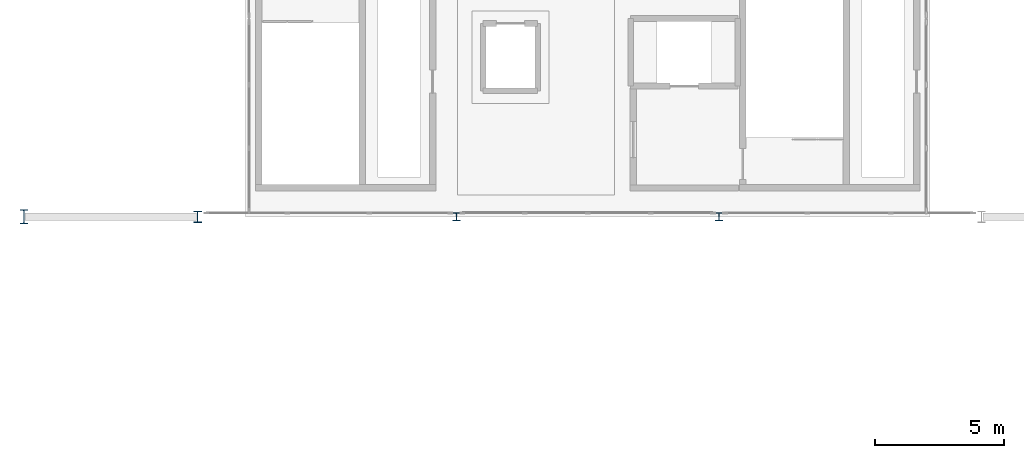
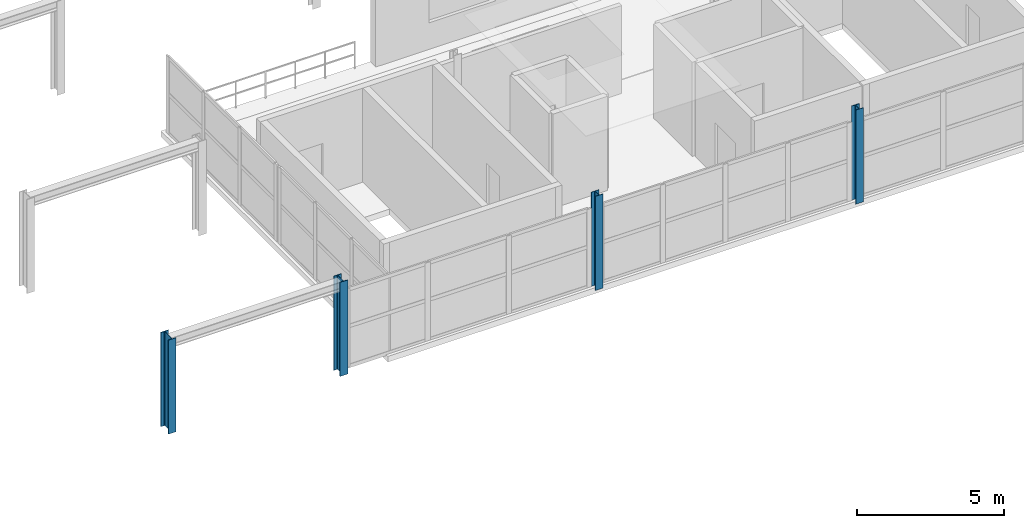
# One storey, part 1 of 52: 4 columns.
"""IFC4 building model written with IfcOpenShell, lengths in metres."""

from ifc_helpers import new_model, si_unit, direction, frame, origin, origin_2d, place, context, subcontext, project, spatial, i_section, extrude, material, material_profile, profile_set, type_object, element, save


model = new_model("IFC4")

# Units and contexts
model_context = context("Model", 3, precision=1e-05, world=origin(), true_north=direction((0.0, 1.0)))
body_context = subcontext(model_context, "Body", "Model", "MODEL_VIEW")
ifc_project = project(units=[si_unit("LENGTHUNIT", "METRE"), si_unit("AREAUNIT", "SQUARE_METRE"), si_unit("VOLUMEUNIT", "CUBIC_METRE"), si_unit("PLANEANGLEUNIT", "RADIAN"), si_unit("MASSUNIT", "GRAM", prefix="KILO")], contexts=[model_context])

# Site, building, storey
site_placement = place(None, origin())
site = spatial("IfcSite", under=ifc_project, at=site_placement, CompositionType="ELEMENT")
building_placement = place(site_placement, origin())
building = spatial("IfcBuilding", under=site, at=building_placement, Name="Myrtia Square Station", CompositionType="ELEMENT")
storey_placement = place(building_placement, frame((0.0, 0.0, 15.0)))
storey = spatial("IfcBuildingStorey", under=building, at=storey_placement, Name="L03", CompositionType="ELEMENT", Elevation=15.0)

# Columns
ifc_material = material(Name="Steel S355", Category="steel")
ifc_material_profile_1 = material_profile(ifc_material, i_section(OverallWidth=0.300048828125, OverallDepth=0.5400390625, WebThickness=0.012451171875, FlangeThickness=0.02392578125, FilletRadius=0.027099609375, at=origin_2d()), Name="HEA 550")
ifc_profile_set_1 = profile_set([ifc_material_profile_1], Name="Steel S355")
column_type_1 = type_object("IfcColumnType", Name="COL-HEA550", PredefinedType="COLUMN", material=ifc_profile_set_1)
column_1_placement = place(storey_placement, frame((72.60009765625, 28.800048828125, 0.0), z_axis=(0.0, 0.0, 1.0), x_axis=(1.0, 0.0, 0.0)))
element("IfcColumn", 1, at=column_1_placement, inside=storey, type_object=column_type_1, Name="Column L03-0245", PredefinedType="COLUMN", context=body_context, shape_type="SweptSolid", body=[
    extrude(i_section(OverallWidth=0.300048828125, OverallDepth=0.5400390625, WebThickness=0.012451171875, FlangeThickness=0.02392578125, FilletRadius=0.027099609375, at=origin_2d()), origin(), (0.0, 0.0, 1.0), 3.89990234375),
])
ifc_material_profile_2 = material_profile(ifc_material, i_section(OverallWidth=0.300048828125, OverallDepth=0.300048828125, WebThickness=0.010986328125, FlangeThickness=0.01904296875, FilletRadius=0.027099609375, at=origin_2d()), Name="HEB 300")
ifc_profile_set_2 = profile_set([ifc_material_profile_2], Name="Steel S355")
column_type_2 = type_object("IfcColumnType", Name="COL-HEB300", PredefinedType="COLUMN", material=ifc_profile_set_2)
for number, where, z_axis, x_axis, name in (
    (2, (89.39990234375, 28.800048828125, 0.0), (0.0, 0.0, 1.0), (1.0, 0.0, 0.0), "Column L03-0421"),
    (3, (99.60009765625, 28.800048828125, 0.0), (0.0, 0.0, 1.0), (1.0, 0.0, 0.0), "Column L03-0453"),
):
    element("IfcColumn", number, at=place(storey_placement, frame(where, z_axis=z_axis, x_axis=x_axis)), inside=storey, type_object=column_type_2, Name=name, PredefinedType="COLUMN", context=body_context, shape_type="SweptSolid", body=[
        extrude(i_section(OverallWidth=0.300048828125, OverallDepth=0.300048828125, WebThickness=0.010986328125, FlangeThickness=0.01904296875, FilletRadius=0.027099609375, at=origin_2d()), origin(), (0.0, 0.0, 1.0), 3.89990234375),
    ])
ifc_material_profile_3 = material_profile(ifc_material, i_section(OverallWidth=0.300048828125, OverallDepth=0.449951171875, WebThickness=0.013916015625, FlangeThickness=0.02587890625, FilletRadius=0.027099609375, at=origin_2d()), Name="HEB 450")
ifc_profile_set_3 = profile_set([ifc_material_profile_3], Name="Steel S355")
column_type_3 = type_object("IfcColumnType", Name="COL-HEB450", PredefinedType="COLUMN", material=ifc_profile_set_3)
column_2_placement = place(storey_placement, frame((79.35009765625, 28.800048828125, 0.0), z_axis=(0.0, 0.0, 1.0), x_axis=(1.0, 0.0, 0.0)))
element("IfcColumn", 4, at=column_2_placement, inside=storey, type_object=column_type_3, Name="Column L03-0255", PredefinedType="COLUMN", context=body_context, shape_type="SweptSolid", body=[
    extrude(i_section(OverallWidth=0.300048828125, OverallDepth=0.449951171875, WebThickness=0.013916015625, FlangeThickness=0.02587890625, FilletRadius=0.027099609375, at=origin_2d()), origin(), (0.0, 0.0, 1.0), 3.89990234375),
])

save(model, "model.ifc")
